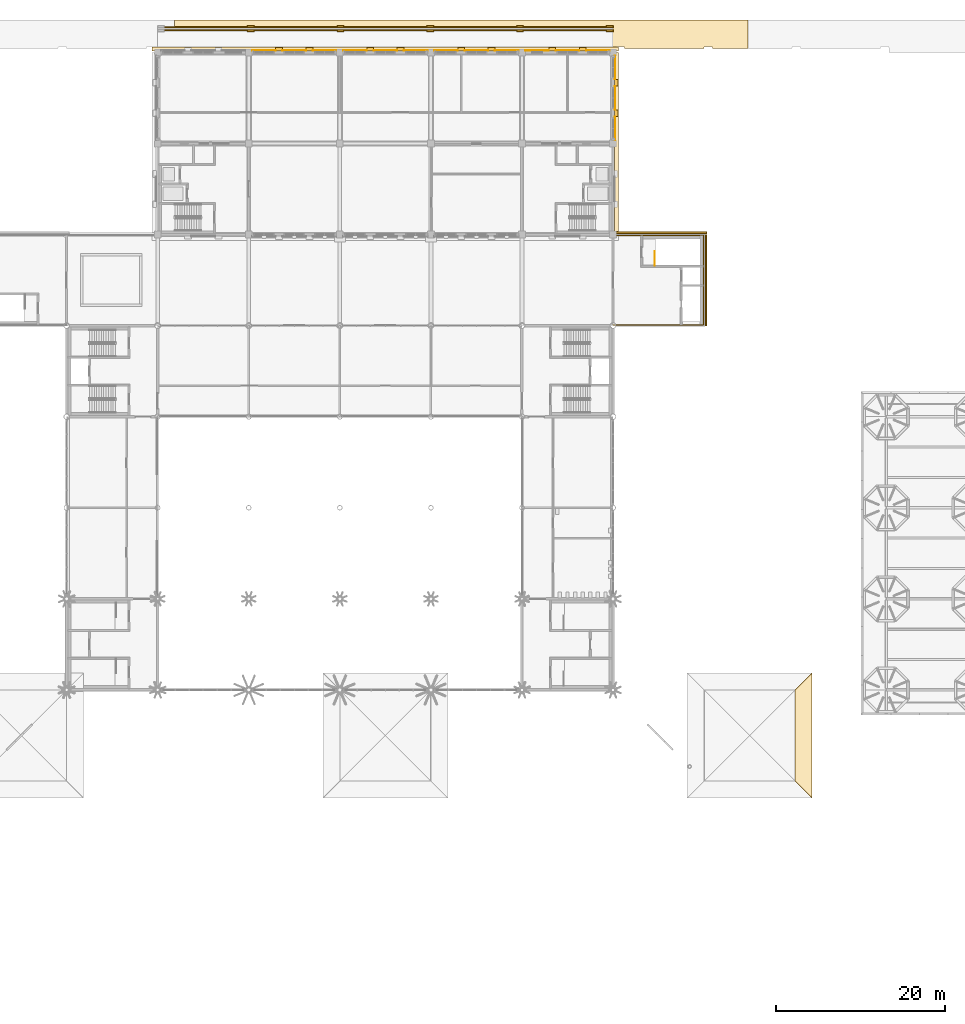
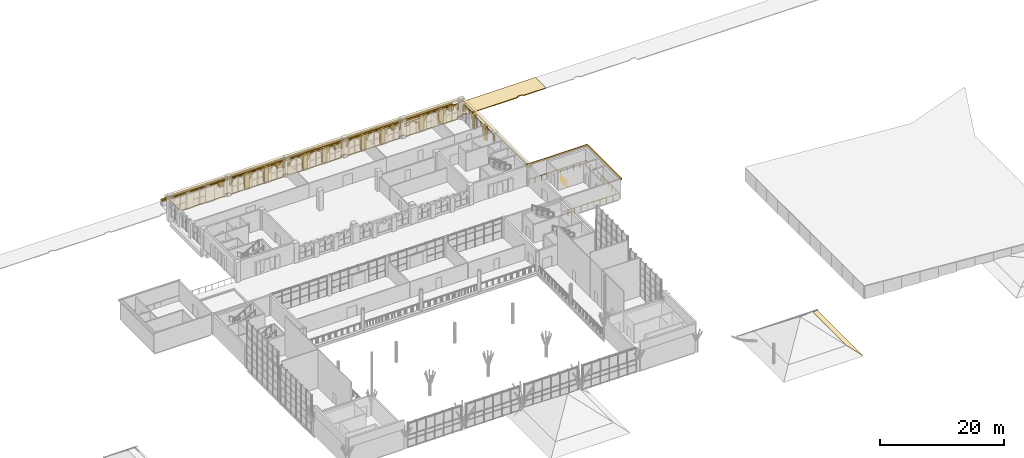
# One storey, part 91 of 95: 43 coverings, 2 railings.
"""IFC4 building model written with IfcOpenShell, lengths in metres."""

from ifc_helpers import new_model, si_unit, direction, frame, origin, origin_2d, place, context, subcontext, project, spatial, polyline, rectangle, circle, outline, extrude, material, layer, layer_set, type_object, element, save


model = new_model("IFC4")

# Units and contexts
model_context = context("Model", 3, precision=1e-05, world=origin(), true_north=direction((0.0, 1.0)))
body_context = subcontext(model_context, "Body", "Model", "MODEL_VIEW")
ifc_project = project(units=[si_unit("LENGTHUNIT", "METRE"), si_unit("AREAUNIT", "SQUARE_METRE"), si_unit("VOLUMEUNIT", "CUBIC_METRE"), si_unit("PLANEANGLEUNIT", "RADIAN"), si_unit("MASSUNIT", "GRAM", prefix="KILO")], contexts=[model_context])

# Site, building, storey
site_placement = place(None, origin())
site = spatial("IfcSite", under=ifc_project, at=site_placement, CompositionType="ELEMENT")
building_placement = place(site_placement, origin())
building = spatial("IfcBuilding", under=site, at=building_placement, Name="Magnolia Steps Interchange", CompositionType="ELEMENT")
storey_placement = place(building_placement, frame((0.0, 0.0, 4.800048828125)))
storey = spatial("IfcBuildingStorey", under=building, at=storey_placement, Name="L01", CompositionType="ELEMENT", Elevation=4.800048828125)

# Coverings
ifc_material_1 = material(Name="Clay pantile")
ifc_layer_1 = layer(ifc_material_1, 0.0400390625)
ifc_layer_set_1 = layer_set([ifc_layer_1], Name="Clay pantile roofing")
covering_type_1 = type_object("IfcCoveringType", Name="Clay pantile roofing", PredefinedType="ROOFING", material=ifc_layer_set_1)
covering_1_placement = place(storey_placement, frame((139.60009765625, 31.60009765625, 0.1689453125), z_axis=(0.615644041972, 0.0, 0.788024373725), x_axis=(0.0, 1.0, 0.0)))
element("IfcCovering", 1, at=covering_1_placement, inside=storey, type_object=covering_type_1, Name="Clay pantile eave Pavilion roof slab BC3 1 1", PredefinedType="ROOFING", context=body_context, shape_type="SweptSolid", body=[
    extrude(outline(polyline([(0.0, 0.0), (10.799804688, 0.0), (12.799804688, -2.537992563), (-2.0, -2.537992563), (0.0, 0.0)])), origin(), (0.0, 0.0, -1.0), 0.0400390625),
])
ifc_material_2 = material(Name="Lime render")
ifc_layer_2 = layer(ifc_material_2, 0.080078125)
ifc_layer_set_2 = layer_set([ifc_layer_2], Name="Lime render arch infill")
covering_type_2 = type_object("IfcCoveringType", Name="Lime render arch infill", PredefinedType="CLADDING", material=ifc_layer_set_2)
covering_2_placement = place(storey_placement, frame((118.175048828125, 107.60009765625, 1.579833984375), z_axis=(-1.0, 0.0, 0.0), x_axis=(0.0, 0.0, 1.0)))
element("IfcCovering", 2, at=covering_2_placement, inside=storey, type_object=covering_type_2, Name="Arched head over opening g2", PredefinedType="CLADDING", context=body_context, shape_type="SweptSolid", body=[
    extrude(outline(polyline([(0.0, 0.0), (1.220214844, 0.0), (1.220214844, 2.799804688), (0.0, 2.799804688), (0.0, 2.599853516), (0.267089844, 2.569824219), (0.520751953, 2.481201172), (0.748291016, 2.338134766), (0.938232422, 2.148193359), (1.081298828, 1.920654297), (1.169921875, 1.666992188), (1.200195312, 1.399902344), (1.169921875, 1.1328125), (1.081298828, 0.879150391), (0.938232422, 0.651611328), (0.748291016, 0.461669922), (0.520751953, 0.318603516), (0.267089844, 0.229980469), (0.0, 0.199951172), (0.0, 0.0)])), origin(), (0.0, 0.0, -1.0), 0.080078125),
])
covering_3_placement = place(storey_placement, frame((118.175048828125, 111.199951171875, 1.579833984375), z_axis=(-1.0, 0.0, 0.0), x_axis=(0.0, 0.0, 1.0)))
element("IfcCovering", 3, at=covering_3_placement, inside=storey, type_object=covering_type_2, Name="Arched head over opening g4", PredefinedType="CLADDING", context=body_context, shape_type="SweptSolid", body=[
    extrude(outline(polyline([(0.0, 0.0), (1.220214844, 0.0), (1.220214844, 2.800048828), (0.0, 2.800048828), (0.0, 2.600097656), (0.267089844, 2.570068359), (0.520751953, 2.481201172), (0.748291016, 2.338134766), (0.938232422, 2.148193359), (1.081298828, 1.920654297), (1.169921875, 1.666992188), (1.200195312, 1.400146484), (1.169921875, 1.133056641), (1.081298828, 0.879394531), (0.938232422, 0.651855469), (0.748291016, 0.461914062), (0.520751953, 0.318847656), (0.267089844, 0.230224609), (0.0, 0.199951172), (0.0, 0.0)])), origin(), (0.0, 0.0, -1.0), 0.080078125),
])
covering_4_placement = place(storey_placement, frame((118.175048828125, 114.800048828125, 1.579833984375), z_axis=(-1.0, 0.0, 0.0), x_axis=(0.0, 0.0, 1.0)))
element("IfcCovering", 4, at=covering_4_placement, inside=storey, type_object=covering_type_2, Name="Arched head over opening g6", PredefinedType="CLADDING", context=body_context, shape_type="SweptSolid", body=[
    extrude(outline(polyline([(0.0, 0.0), (1.220214844, 0.0), (1.220214844, 2.800048828), (0.0, 2.800048828), (0.0, 2.599853516), (0.267089844, 2.569824219), (0.520751953, 2.481201172), (0.748291016, 2.338134766), (0.938232422, 2.148193359), (1.081298828, 1.920654297), (1.169921875, 1.666992188), (1.200195312, 1.399902344), (1.169921875, 1.133056641), (1.081298828, 0.879150391), (0.938232422, 0.651855469), (0.748291016, 0.461669922), (0.520751953, 0.318847656), (0.267089844, 0.229980469), (0.0, 0.199951172), (0.0, 0.0)])), origin(), (0.0, 0.0, -1.0), 0.080078125),
])
covering_5_placement = place(storey_placement, frame((82.60009765625, 118.175048828125, 1.579833984375), z_axis=(0.0, -1.0, 0.0), x_axis=(0.111727497739, 0.0, 0.993738882327)))
element("IfcCovering", 5, at=covering_5_placement, inside=storey, type_object=covering_type_2, Name="Arched head over opening g10", PredefinedType="CLADDING", context=body_context, shape_type="SweptSolid", body=[
    extrude(outline(polyline([(0.0, 0.0), (0.268772661, 0.0), (0.530748193, -0.059727135), (0.772847059, -0.176475415), (0.982820897, -0.344005898), (1.150413918, -0.55413586), (1.266823118, -0.79630813), (1.32674829, -1.058343317), (1.326478401, -1.326900644), (1.266778543, -1.589118788), (1.150002986, -1.830975041), (0.98249978, -2.041191492), (0.772342541, -2.208541901), (0.530197548, -2.325193713), (0.268135084, -2.384876273), (0.290475128, -2.583575527), (1.503050063, -2.447243976), (1.190207614, 0.335273417), (-0.022367321, 0.198941866), (0.0, 0.0)])), origin(), (0.0, 0.0, -1.0), 0.080078125),
])
covering_6_placement = place(storey_placement, frame((86.199951171875, 118.175048828125, 1.579833984375), z_axis=(0.0, -1.0, 0.0), x_axis=(0.111727497739, 0.0, 0.993738882327)))
element("IfcCovering", 6, at=covering_6_placement, inside=storey, type_object=covering_type_2, Name="Arched head over opening g12", PredefinedType="CLADDING", context=body_context, shape_type="SweptSolid", body=[
    extrude(outline(polyline([(0.0, 0.0), (0.268772661, 0.0), (0.530775471, -0.059969747), (0.772874336, -0.176718027), (0.982848175, -0.34424851), (1.150441195, -0.554378472), (1.266850396, -0.796550742), (1.32674829, -1.058343317), (1.326505678, -1.327143256), (1.266778543, -1.589118788), (1.150030263, -1.831217653), (0.98249978, -2.041191492), (0.772369818, -2.208784513), (0.530197548, -2.325193713), (0.268162361, -2.385118885), (0.290502405, -2.583818139), (1.50307734, -2.447486588), (1.190234891, 0.335030805), (-0.022340044, 0.198699254), (0.0, 0.0)])), origin(), (0.0, 0.0, -1.0), 0.080078125),
])
covering_7_placement = place(storey_placement, frame((89.800048828125, 118.175048828125, 1.579833984375), z_axis=(0.0, -1.0, 0.0), x_axis=(0.111727497739, 0.0, 0.993738882327)))
element("IfcCovering", 7, at=covering_7_placement, inside=storey, type_object=covering_type_2, Name="Arched head over opening g14", PredefinedType="CLADDING", context=body_context, shape_type="SweptSolid", body=[
    extrude(outline(polyline([(0.0, 0.0), (0.268772661, 0.0), (0.530748193, -0.059727135), (0.772847059, -0.176475415), (0.982820897, -0.344005898), (1.150413918, -0.55413586), (1.266823118, -0.79630813), (1.32674829, -1.058343317), (1.326505678, -1.327143256), (1.266778543, -1.589118788), (1.150030263, -1.831217653), (0.98249978, -2.041191492), (0.772369818, -2.208784513), (0.530197548, -2.325193713), (0.268135084, -2.384876273), (0.290475128, -2.583575527), (1.503050063, -2.447243976), (1.190234891, 0.335030805), (-0.022340044, 0.198699254), (0.0, 0.0)])), origin(), (0.0, 0.0, -1.0), 0.080078125),
])
covering_8_placement = place(storey_placement, frame((93.39990234375, 118.175048828125, 1.579833984375), z_axis=(0.0, -1.0, 0.0), x_axis=(0.112624375469, 0.0, 0.993637635182)))
element("IfcCovering", 8, at=covering_8_placement, inside=storey, type_object=covering_type_2, Name="Arched head over opening g16", PredefinedType="CLADDING", context=body_context, shape_type="SweptSolid", body=[
    extrude(outline(polyline([(0.0, 0.0), (0.268800048, 0.0), (0.530829382, -0.059490658), (0.773033522, -0.176020379), (0.983158484, -0.343361276), (1.150941095, -0.553339888), (1.267568826, -0.795406991), (1.32773048, -1.057387985), (1.327702983, -1.325945445), (1.268212325, -1.587974779), (1.151682605, -1.830178919), (0.984341707, -2.040303881), (0.774363096, -2.208086492), (0.532323489, -2.32495681), (0.270314999, -2.384875877), (0.292834375, -2.583554886), (1.505285766, -2.446128952), (1.189932016, 0.336104944), (-0.022519376, 0.19867901), (0.0, 0.0)])), origin(), (0.0, 0.0, -1.0), 0.080078125),
])
covering_9_placement = place(storey_placement, frame((97.0, 118.175048828125, 1.579833984375), z_axis=(0.0, -1.0, 0.0), x_axis=(0.111727497739, 0.0, 0.993738882327)))
element("IfcCovering", 9, at=covering_9_placement, inside=storey, type_object=covering_type_2, Name="Arched head over opening g18", PredefinedType="CLADDING", context=body_context, shape_type="SweptSolid", body=[
    extrude(outline(polyline([(0.0, 0.0), (0.268772661, 0.0), (0.530775471, -0.059969747), (0.772847059, -0.176475415), (0.982848175, -0.34424851), (1.150413918, -0.55413586), (1.266850396, -0.796550742), (1.32674829, -1.058343317), (1.326505678, -1.327143256), (1.266778543, -1.589118788), (1.150030263, -1.831217653), (0.98249978, -2.041191492), (0.772369818, -2.208784513), (0.530197548, -2.325193713), (0.268135084, -2.384876273), (0.290502405, -2.583818139), (1.50307734, -2.447486588), (1.190234891, 0.335030805), (-0.022340044, 0.198699254), (0.0, 0.0)])), origin(), (0.0, 0.0, -1.0), 0.080078125),
])
covering_10_placement = place(storey_placement, frame((100.60009765625, 118.175048828125, 1.579833984375), z_axis=(0.0, -1.0, 0.0), x_axis=(0.111727497739, 0.0, 0.993738882327)))
element("IfcCovering", 10, at=covering_10_placement, inside=storey, type_object=covering_type_2, Name="Arched head over opening g20", PredefinedType="CLADDING", context=body_context, shape_type="SweptSolid", body=[
    extrude(outline(polyline([(0.0, 0.0), (0.268772661, 0.0), (0.530748193, -0.059727135), (0.772847059, -0.176475415), (0.982820897, -0.344005898), (1.150413918, -0.55413586), (1.266823118, -0.79630813), (1.32674829, -1.058343317), (1.326478401, -1.326900644), (1.266778543, -1.589118788), (1.150002986, -1.830975041), (0.98249978, -2.041191492), (0.772342541, -2.208541901), (0.530197548, -2.325193713), (0.268135084, -2.384876273), (0.290475128, -2.583575527), (1.503050063, -2.447243976), (1.190207614, 0.335273417), (-0.022367321, 0.198941866), (0.0, 0.0)])), origin(), (0.0, 0.0, -1.0), 0.080078125),
])
covering_11_placement = place(storey_placement, frame((104.199951171875, 118.175048828125, 1.579833984375), z_axis=(0.0, -1.0, 0.0), x_axis=(0.111727497739, 0.0, 0.993738882327)))
element("IfcCovering", 11, at=covering_11_placement, inside=storey, type_object=covering_type_2, Name="Arched head over opening g22", PredefinedType="CLADDING", context=body_context, shape_type="SweptSolid", body=[
    extrude(outline(polyline([(0.0, 0.0), (0.268772661, 0.0), (0.530775471, -0.059969747), (0.772874336, -0.176718027), (0.982848175, -0.34424851), (1.150441195, -0.554378472), (1.266850396, -0.796550742), (1.32674829, -1.058343317), (1.326505678, -1.327143256), (1.266778543, -1.589118788), (1.150030263, -1.831217653), (0.98249978, -2.041191492), (0.772369818, -2.208784513), (0.530197548, -2.325193713), (0.268162361, -2.385118885), (0.290502405, -2.583818139), (1.50307734, -2.447486588), (1.190234891, 0.335030805), (-0.022340044, 0.198699254), (0.0, 0.0)])), origin(), (0.0, 0.0, -1.0), 0.080078125),
])
covering_12_placement = place(storey_placement, frame((111.39990234375, 118.175048828125, 1.579833984375), z_axis=(0.0, -1.0, 0.0), x_axis=(0.112624375469, 0.0, 0.993637635182)))
element("IfcCovering", 12, at=covering_12_placement, inside=storey, type_object=covering_type_2, Name="Arched head over opening g24", PredefinedType="CLADDING", context=body_context, shape_type="SweptSolid", body=[
    extrude(outline(polyline([(0.0, 0.0), (0.268800048, 0.0), (0.530829382, -0.059490658), (0.773033522, -0.176020379), (0.983158484, -0.343361276), (1.150941095, -0.553339888), (1.267568826, -0.795406991), (1.32773048, -1.057387985), (1.327702983, -1.325945445), (1.268212325, -1.587974779), (1.151682605, -1.830178919), (0.984341707, -2.040303881), (0.774363096, -2.208086492), (0.532323489, -2.32495681), (0.270314999, -2.384875877), (0.292834375, -2.583554886), (1.505285766, -2.446128952), (1.189932016, 0.336104944), (-0.022519376, 0.19867901), (0.0, 0.0)])), origin(), (0.0, 0.0, -1.0), 0.080078125),
])
covering_13_placement = place(storey_placement, frame((115.0, 118.175048828125, 1.579833984375), z_axis=(0.0, -1.0, 0.0), x_axis=(0.111727497739, 0.0, 0.993738882327)))
element("IfcCovering", 13, at=covering_13_placement, inside=storey, type_object=covering_type_2, Name="Arched head over opening g26", PredefinedType="CLADDING", context=body_context, shape_type="SweptSolid", body=[
    extrude(outline(polyline([(0.0, 0.0), (0.268772661, 0.0), (0.530775471, -0.059969747), (0.772847059, -0.176475415), (0.982848175, -0.34424851), (1.150413918, -0.55413586), (1.266850396, -0.796550742), (1.32674829, -1.058343317), (1.326505678, -1.327143256), (1.266778543, -1.589118788), (1.150030263, -1.831217653), (0.98249978, -2.041191492), (0.772369818, -2.208784513), (0.530197548, -2.325193713), (0.268135084, -2.384876273), (0.290502405, -2.583818139), (1.50307734, -2.447486588), (1.190234891, 0.335030805), (-0.022340044, 0.198699254), (0.0, 0.0)])), origin(), (0.0, 0.0, -1.0), 0.080078125),
])
covering_14_placement = place(storey_placement, frame((75.39990234375, 118.175048828125, 1.579833984375), z_axis=(0.0, -1.0, 0.0), x_axis=(0.112624375469, 0.0, 0.993637635182)))
element("IfcCovering", 14, at=covering_14_placement, inside=storey, type_object=covering_type_2, Name="Arched head over opening g6", PredefinedType="CLADDING", context=body_context, shape_type="SweptSolid", body=[
    extrude(outline(polyline([(0.0, 0.0), (0.268800048, 0.0), (0.530829382, -0.059490658), (0.773033522, -0.176020379), (0.983158484, -0.343361276), (1.150941095, -0.553339888), (1.267568826, -0.795406991), (1.32773048, -1.057387985), (1.327702983, -1.325945445), (1.268212325, -1.587974779), (1.151682605, -1.830178919), (0.984341707, -2.040303881), (0.774363096, -2.208086492), (0.532323489, -2.32495681), (0.270314999, -2.384875877), (0.292834375, -2.583554886), (1.505285766, -2.446128952), (1.189932016, 0.336104944), (-0.022519376, 0.19867901), (0.0, 0.0)])), origin(), (0.0, 0.0, -1.0), 0.080078125),
])
covering_15_placement = place(storey_placement, frame((79.0, 118.175048828125, 1.579833984375), z_axis=(0.0, -1.0, 0.0), x_axis=(0.111727497739, 0.0, 0.993738882327)))
element("IfcCovering", 15, at=covering_15_placement, inside=storey, type_object=covering_type_2, Name="Arched head over opening g8", PredefinedType="CLADDING", context=body_context, shape_type="SweptSolid", body=[
    extrude(outline(polyline([(0.0, 0.0), (0.268772661, 0.0), (0.530775471, -0.059969747), (0.772847059, -0.176475415), (0.982848175, -0.34424851), (1.150413918, -0.55413586), (1.266850396, -0.796550742), (1.32674829, -1.058343317), (1.326505678, -1.327143256), (1.266778543, -1.589118788), (1.150030263, -1.831217653), (0.98249978, -2.041191492), (0.772369818, -2.208784513), (0.530197548, -2.325193713), (0.268135084, -2.384876273), (0.290502405, -2.583818139), (1.50307734, -2.447486588), (1.190234891, 0.335030805), (-0.022340044, 0.198699254), (0.0, 0.0)])), origin(), (0.0, 0.0, -1.0), 0.080078125),
])
covering_16_placement = place(storey_placement, frame((108.39990234375, 118.175048828125, 1.780029296875), z_axis=(0.0, -1.0, 0.0), x_axis=(0.112828023715, 0.0, 0.993614531428)))
element("IfcCovering", 16, at=covering_16_placement, inside=storey, type_object=covering_type_2, Name="Arched head over doorway D00240", PredefinedType="CLADDING", context=body_context, shape_type="SweptSolid", body=[
    extrude(outline(polyline([(0.0, 0.0), (0.134157439, 0.0), (0.265313264, -0.029825994), (0.386427273, -0.088066033), (0.491506901, -0.171714947), (0.575419722, -0.276687056), (0.633865911, -0.39757359), (0.663731002, -0.528585465), (0.66400113, -0.66295794), (0.63414759, -0.793871183), (0.575907551, -0.914985192), (0.492258637, -1.02006482), (0.387286528, -1.103977641), (0.266157412, -1.162451376), (0.135415665, -1.192531503), (0.225656047, -1.987229063), (0.841570914, -1.917290012), (0.525674485, 0.864636611), (-0.090240382, 0.79469756), (0.0, 0.0)])), origin(), (0.0, 0.0, -1.0), 0.080078125),
])
ifc_material_3 = material(Name="Lime render")
ifc_layer_3 = layer(ifc_material_3, 0.1201171875)
ifc_layer_set_3 = layer_set([ifc_layer_3], Name="Lime render band")
covering_type_3 = type_object("IfcCoveringType", Name="Lime render band", PredefinedType="CLADDING", material=ifc_layer_set_3)
covering_17_placement = place(storey_placement, frame((91.0, 118.425048828125, 3.199951171875), z_axis=(0.0, 0.0, 1.0), x_axis=(1.0, 0.0, 0.0)))
element("IfcCovering", 17, at=covering_17_placement, inside=storey, type_object=covering_type_3, Name="String course L01 N", PredefinedType="CLADDING", context=body_context, shape_type="SweptSolid", body=[
    extrude(rectangle(XDim=55.35009765625, YDim=0.5, at=origin_2d()), origin(), (0.0, 0.0, 1.0), 0.39990234375),
])
covering_18_placement = place(storey_placement, frame((118.425048828125, 107.199951171875, 3.199951171875), z_axis=(0.0, 0.0, 1.0), x_axis=(1.0, 0.0, 0.0)))
element("IfcCovering", 18, at=covering_18_placement, inside=storey, type_object=covering_type_3, Name="String course L01 E", PredefinedType="CLADDING", context=body_context, shape_type="SweptSolid", body=[
    extrude(rectangle(XDim=0.5, YDim=21.60009765625, at=origin_2d()), origin(), (0.0, 0.0, 1.0), 0.39990234375),
])
for number, where, z_axis, x_axis, name in (
    (19, (91.0, 121.010009765625, 0.89990234375), (0.0, 0.0, 1.0), (1.0, 0.0, 0.0), "Coping north street N"),
    (20, (91.0, 120.639892578125, 0.89990234375), (0.0, 0.0, 1.0), (1.0, 0.0, 0.0), "Coping north street S"),
):
    element("IfcCovering", number, at=place(storey_placement, frame(where, z_axis=z_axis, x_axis=x_axis)), inside=storey, type_object=covering_type_3, Name=name, PredefinedType="CLADDING", context=body_context, shape_type="SweptSolid", body=[
        extrude(rectangle(XDim=54.0, YDim=0.1201171875, at=origin_2d()), origin(), (0.0, 0.0, 1.0), 0.199951171875),
    ])
ifc_material_4 = material(Name="Lime render")
ifc_layer_4 = layer(ifc_material_4, 0.199951171875)
ifc_layer_set_4 = layer_set([ifc_layer_4], Name="Lime render cornice")
covering_type_4 = type_object("IfcCoveringType", Name="Lime render cornice", PredefinedType="CLADDING", material=ifc_layer_set_4)
covering_19_placement = place(storey_placement, frame((123.39990234375, 96.625, 3.60009765625), z_axis=(0.0, 0.0, 1.0), x_axis=(1.0, 0.0, 0.0)))
element("IfcCovering", 21, at=covering_19_placement, inside=storey, type_object=covering_type_4, Name="Cornice WC-E N", PredefinedType="CLADDING", context=body_context, shape_type="SweptSolid", body=[
    extrude(rectangle(XDim=11.449951171875, YDim=0.199951171875, at=origin_2d()), origin(), (0.0, 0.0, 1.0), 0.300048828125),
])
covering_20_placement = place(storey_placement, frame((129.02490234375, 91.0, 3.60009765625), z_axis=(0.0, 0.0, 1.0), x_axis=(1.0, 0.0, 0.0)))
element("IfcCovering", 22, at=covering_20_placement, inside=storey, type_object=covering_type_4, Name="Cornice WC-E E", PredefinedType="CLADDING", context=body_context, shape_type="SweptSolid", body=[
    extrude(rectangle(XDim=0.199951171875, YDim=10.800048828125, at=origin_2d()), origin(), (0.0, 0.0, 1.0), 0.300048828125),
])
ifc_material_5 = material(Name="Lime render")
ifc_layer_5 = layer(ifc_material_5, 0.39990234375)
ifc_layer_set_5 = layer_set([ifc_layer_5], Name="Lime render pilaster")
covering_type_5 = type_object("IfcCoveringType", Name="Lime render pilaster", PredefinedType="CLADDING", material=ifc_layer_set_5)
for number, where, z_axis, x_axis, name in (
    (23, (78.39990234375, 118.375, 0.0), (0.0, 0.0, 1.0), (1.0, 0.0, 0.0), "Pilaster L01 N 3"),
    (24, (82.0, 118.375, 0.0), (0.0, 0.0, 1.0), (1.0, 0.0, 0.0), "Pilaster L01 N 4"),
    (25, (89.199951171875, 118.375, 0.0), (0.0, 0.0, 1.0), (1.0, 0.0, 0.0), "Pilaster L01 N 5"),
    (26, (92.800048828125, 118.375, 0.0), (0.0, 0.0, 1.0), (1.0, 0.0, 0.0), "Pilaster L01 N 6"),
    (27, (100.0, 118.375, 0.0), (0.0, 0.0, 1.0), (1.0, 0.0, 0.0), "Pilaster L01 N 7"),
    (28, (103.60009765625, 118.375, 0.0), (0.0, 0.0, 1.0), (1.0, 0.0, 0.0), "Pilaster L01 N 8"),
    (29, (110.800048828125, 118.375, 0.0), (0.0, 0.0, 1.0), (1.0, 0.0, 0.0), "Pilaster L01 N 9"),
    (30, (114.39990234375, 118.375, 0.0), (0.0, 0.0, 1.0), (1.0, 0.0, 0.0), "Pilaster L01 N 10"),
):
    element("IfcCovering", number, at=place(storey_placement, frame(where, z_axis=z_axis, x_axis=x_axis)), inside=storey, type_object=covering_type_5, Name=name, PredefinedType="CLADDING", context=body_context, shape_type="SweptSolid", body=[
        extrude(rectangle(XDim=0.800048828125, YDim=0.39990234375, at=origin_2d()), origin(), (0.0, 0.0, 1.0), 2.800048828125),
    ])
for number, where, z_axis, x_axis, name in (
    (31, (118.375, 110.800048828125, 0.0), (0.0, 0.0, 1.0), (1.0, 0.0, 0.0), "Pilaster L01 E 1"),
    (32, (118.375, 114.39990234375, 0.0), (0.0, 0.0, 1.0), (1.0, 0.0, 0.0), "Pilaster L01 E 2"),
):
    element("IfcCovering", number, at=place(storey_placement, frame(where, z_axis=z_axis, x_axis=x_axis)), inside=storey, type_object=covering_type_5, Name=name, PredefinedType="CLADDING", context=body_context, shape_type="SweptSolid", body=[
        extrude(rectangle(XDim=0.39990234375, YDim=0.800048828125, at=origin_2d()), origin(), (0.0, 0.0, 1.0), 2.800048828125),
    ])
for number, where, z_axis, x_axis, name in (
    (33, (75.0400390625, 121.06005859375, 0.0), (0.0, 0.0, 1.0), (1.0, 0.0, 0.0), "Boundary wall pier north street N2"),
    (34, (85.679931640625, 121.06005859375, 0.0), (0.0, 0.0, 1.0), (1.0, 0.0, 0.0), "Boundary wall pier north street N3"),
    (35, (96.320068359375, 121.06005859375, 0.0), (0.0, 0.0, 1.0), (1.0, 0.0, 0.0), "Boundary wall pier north street N4"),
    (36, (106.9599609375, 121.06005859375, 0.0), (0.0, 0.0, 1.0), (1.0, 0.0, 0.0), "Boundary wall pier north street N5"),
    (37, (117.60009765625, 121.06005859375, 0.0), (0.0, 0.0, 1.0), (1.0, 0.0, 0.0), "Boundary wall pier north street N6"),
    (38, (75.0400390625, 120.590087890625, 0.0), (0.0, 0.0, 1.0), (1.0, 0.0, 0.0), "Boundary wall pier north street S2"),
    (39, (85.679931640625, 120.590087890625, 0.0), (0.0, 0.0, 1.0), (1.0, 0.0, 0.0), "Boundary wall pier north street S3"),
    (40, (96.320068359375, 120.590087890625, 0.0), (0.0, 0.0, 1.0), (1.0, 0.0, 0.0), "Boundary wall pier north street S4"),
    (41, (106.9599609375, 120.590087890625, 0.0), (0.0, 0.0, 1.0), (1.0, 0.0, 0.0), "Boundary wall pier north street S5"),
    (42, (117.60009765625, 120.590087890625, 0.0), (0.0, 0.0, 1.0), (1.0, 0.0, 0.0), "Boundary wall pier north street S6"),
):
    element("IfcCovering", number, at=place(storey_placement, frame(where, z_axis=z_axis, x_axis=x_axis)), inside=storey, type_object=covering_type_5, Name=name, PredefinedType="CLADDING", context=body_context, shape_type="SweptSolid", body=[
        extrude(rectangle(XDim=0.800048828125, YDim=0.219970703125, at=origin_2d()), origin(), (0.0, 0.0, 1.0), 0.89990234375),
    ])

# Railings
ifc_material_6 = material(Name="Stainless steel grade 304", Category="steel")
railing_type_1 = type_object("IfcRailingType", Name="Stair guard 1100", PredefinedType="GUARDRAIL", material=ifc_material_6)
railing_1_placement = place(storey_placement, frame((122.949951171875, 92.75, 0.0)))
element("IfcRailing", 43, at=railing_1_placement, inside=storey, type_object=railing_type_1, Name="L01 ST27 top well guard 1", PredefinedType="GUARDRAIL", context=body_context, shape_type="SweptSolid", body=[
    extrude(circle(Radius=0.02392578125, at=origin_2d()), frame((0.0, 0.0, 1.076171875), z_axis=(0.0, 1.0, 0.0), x_axis=(-1.0, 0.0, 0.0)), (0.0, 0.0, 1.0), 1.64990234375),
    extrude(circle(Radius=0.02099609375, at=origin_2d()), origin(), (0.0, 0.0, 1.0), 1.052001953125),
    extrude(circle(Radius=0.02099609375, at=origin_2d()), frame((0.0, 0.824951171875, 0.0)), (0.0, 0.0, 1.0), 1.052001953125),
    extrude(circle(Radius=0.02099609375, at=origin_2d()), frame((0.0, 1.64990234375, 0.0)), (0.0, 0.0, 1.0), 1.052001953125),
])
ifc_material_7 = material(Name="Painted steel Q355B", Category="steel")
railing_type_2 = type_object("IfcRailingType", Name="Steel balustrade guard 1100", PredefinedType="GUARDRAIL", material=ifc_material_7)
railing_2_placement = place(storey_placement, frame((118.0, 96.300048828125, 0.0)))
element("IfcRailing", 44, at=railing_2_placement, inside=storey, type_object=railing_type_2, Name="Raised deck guard east", PredefinedType="GUARDRAIL", context=body_context, shape_type="SweptSolid", body=[
    extrude(circle(Radius=0.030029296875, at=origin_2d()), frame((0.0, 0.0, 1.070068359375), z_axis=(1.0, 0.0, 0.0), x_axis=(0.0, 1.0, 0.0)), (0.0, 0.0, 1.0), 10.699951171875),
    extrude(circle(Radius=0.030029296875, at=origin_2d()), frame((10.699951171875, 0.0, 1.070068359375), z_axis=(0.0, -1.0, 0.0), x_axis=(1.0, 0.0, 0.0)), (0.0, 0.0, 1.0), 10.60009765625),
    extrude(circle(Radius=0.030029296875, at=origin_2d()), frame((10.699951171875, -10.60009765625, 1.070068359375), z_axis=(-1.0, 0.0, 0.0), x_axis=(0.0, -1.0, 0.0)), (0.0, 0.0, 1.0), 10.699951171875),
    extrude(circle(Radius=0.02001953125, at=origin_2d()), origin(), (0.0, 0.0, 1.0), 1.0400390625),
    extrude(circle(Radius=0.02001953125, at=origin_2d()), frame((1.18896484375, 0.0, 0.0)), (0.0, 0.0, 1.0), 1.0400390625),
    extrude(circle(Radius=0.02001953125, at=origin_2d()), frame((2.377685546875, 0.0, 0.0)), (0.0, 0.0, 1.0), 1.0400390625),
    extrude(circle(Radius=0.02001953125, at=origin_2d()), frame((3.566650390625, 0.0, 0.0)), (0.0, 0.0, 1.0), 1.0400390625),
    extrude(circle(Radius=0.02001953125, at=origin_2d()), frame((4.755615234375, 0.0, 0.0)), (0.0, 0.0, 1.0), 1.0400390625),
    extrude(circle(Radius=0.02001953125, at=origin_2d()), frame((5.9443359375, 0.0, 0.0)), (0.0, 0.0, 1.0), 1.0400390625),
    extrude(circle(Radius=0.02001953125, at=origin_2d()), frame((7.13330078125, 0.0, 0.0)), (0.0, 0.0, 1.0), 1.0400390625),
    extrude(circle(Radius=0.02001953125, at=origin_2d()), frame((8.322265625, 0.0, 0.0)), (0.0, 0.0, 1.0), 1.0400390625),
    extrude(circle(Radius=0.02001953125, at=origin_2d()), frame((9.510986328125, 0.0, 0.0)), (0.0, 0.0, 1.0), 1.0400390625),
    extrude(circle(Radius=0.02001953125, at=origin_2d()), frame((10.699951171875, 0.0, 0.0)), (0.0, 0.0, 1.0), 1.0400390625),
    extrude(circle(Radius=0.02001953125, at=origin_2d()), frame((10.699951171875, -1.177734375, 0.0)), (0.0, 0.0, 1.0), 1.0400390625),
    extrude(circle(Radius=0.02001953125, at=origin_2d()), frame((10.699951171875, -2.35546875, 0.0)), (0.0, 0.0, 1.0), 1.0400390625),
    extrude(circle(Radius=0.02001953125, at=origin_2d()), frame((10.699951171875, -3.533447265625, 0.0)), (0.0, 0.0, 1.0), 1.0400390625),
    extrude(circle(Radius=0.02001953125, at=origin_2d()), frame((10.699951171875, -4.711181640625, 0.0)), (0.0, 0.0, 1.0), 1.0400390625),
    extrude(circle(Radius=0.02001953125, at=origin_2d()), frame((10.699951171875, -5.888916015625, 0.0)), (0.0, 0.0, 1.0), 1.0400390625),
    extrude(circle(Radius=0.02001953125, at=origin_2d()), frame((10.699951171875, -7.066650390625, 0.0)), (0.0, 0.0, 1.0), 1.0400390625),
    extrude(circle(Radius=0.02001953125, at=origin_2d()), frame((10.699951171875, -8.24462890625, 0.0)), (0.0, 0.0, 1.0), 1.0400390625),
    extrude(circle(Radius=0.02001953125, at=origin_2d()), frame((10.699951171875, -9.42236328125, 0.0)), (0.0, 0.0, 1.0), 1.0400390625),
    extrude(circle(Radius=0.02001953125, at=origin_2d()), frame((10.699951171875, -10.60009765625, 0.0)), (0.0, 0.0, 1.0), 1.0400390625),
    extrude(circle(Radius=0.02001953125, at=origin_2d()), frame((9.510986328125, -10.60009765625, 0.0)), (0.0, 0.0, 1.0), 1.0400390625),
    extrude(circle(Radius=0.02001953125, at=origin_2d()), frame((8.322265625, -10.60009765625, 0.0)), (0.0, 0.0, 1.0), 1.0400390625),
    extrude(circle(Radius=0.02001953125, at=origin_2d()), frame((7.13330078125, -10.60009765625, 0.0)), (0.0, 0.0, 1.0), 1.0400390625),
    extrude(circle(Radius=0.02001953125, at=origin_2d()), frame((5.9443359375, -10.60009765625, 0.0)), (0.0, 0.0, 1.0), 1.0400390625),
    extrude(circle(Radius=0.02001953125, at=origin_2d()), frame((4.755615234375, -10.60009765625, 0.0)), (0.0, 0.0, 1.0), 1.0400390625),
    extrude(circle(Radius=0.02001953125, at=origin_2d()), frame((3.566650390625, -10.60009765625, 0.0)), (0.0, 0.0, 1.0), 1.0400390625),
    extrude(circle(Radius=0.02001953125, at=origin_2d()), frame((2.377685546875, -10.60009765625, 0.0)), (0.0, 0.0, 1.0), 1.0400390625),
    extrude(circle(Radius=0.02001953125, at=origin_2d()), frame((1.18896484375, -10.60009765625, 0.0)), (0.0, 0.0, 1.0), 1.0400390625),
    extrude(circle(Radius=0.02001953125, at=origin_2d()), frame((0.0, -10.60009765625, 0.0)), (0.0, 0.0, 1.0), 1.0400390625),
])

# Covering
ifc_material_8 = material(Name="Natural stone paving", Category="masonry")
ifc_layer_6 = layer(ifc_material_8, 0.14990234375)
ifc_layer_set_6 = layer_set([ifc_layer_6], Name="Stone paving 150")
covering_type_6 = type_object("IfcCoveringType", Name="Stone paving 150", PredefinedType="FLOORING", material=ifc_layer_set_6)
covering_21_placement = place(storey_placement, frame((0.0, 0.0, -0.150146484375)))
element("IfcCovering", 45, at=covering_21_placement, inside=storey, type_object=covering_type_6, Name="Street paving north centre", PredefinedType="FLOORING", context=body_context, shape_type="SweptSolid", body=[
    extrude(outline(polyline([(134.0, 121.85009765625), (134.0, 118.449951171875), (129.800048828125, 118.449951171875), (129.79248046875, 118.63818359375), (129.699951171875, 118.699951171875), (128.87109375, 118.69580078125), (128.80419921875, 118.62890625), (128.800048828125, 118.449951171875), (119.35009765625, 118.449951171875), (119.34228515625, 118.63818359375), (119.25, 118.699951171875), (118.440185546875, 118.699462890625), (118.357666015625, 118.63818359375), (118.35009765625, 118.5), (117.54443359375, 118.483154296875), (117.5, 118.39990234375), (117.5009765625, 118.0), (107.670654296875, 118.0), (107.670654296875, 118.470703125), (106.729248046875, 118.470703125), (106.718017578125, 118.0), (96.87060546875, 118.0), (96.87060546875, 118.470703125), (95.92919921875, 118.470703125), (95.92041015625, 118.0), (86.07080078125, 118.0), (86.07080078125, 118.470703125), (85.12939453125, 118.470703125), (85.1181640625, 118.0), (75.270751953125, 118.0), (75.270751953125, 118.470703125), (74.329345703125, 118.470703125), (74.3203125, 118.0), (66.0, 118.0), (66.0, 121.85009765625), (134.0, 121.85009765625)])), origin(), (0.0, 0.0, 1.0), 0.150146484375),
])

save(model, "model.ifc")
